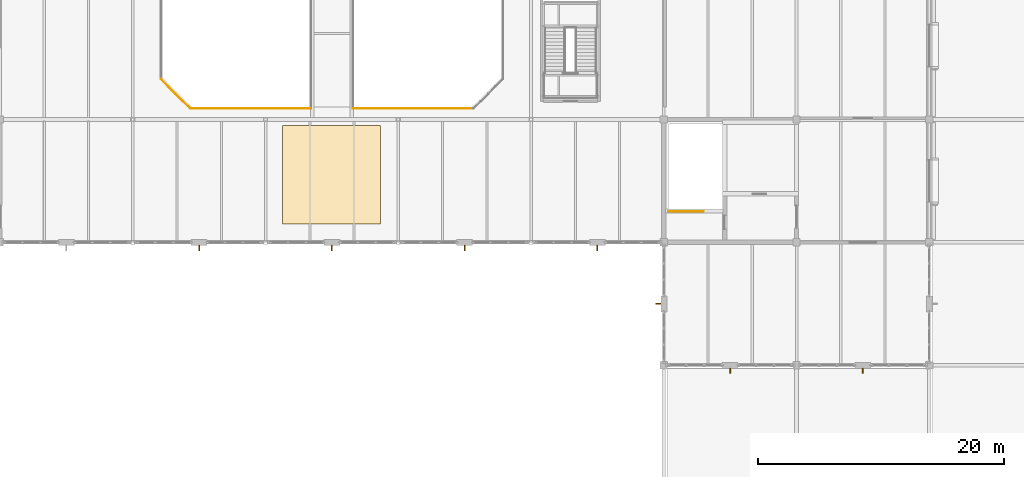
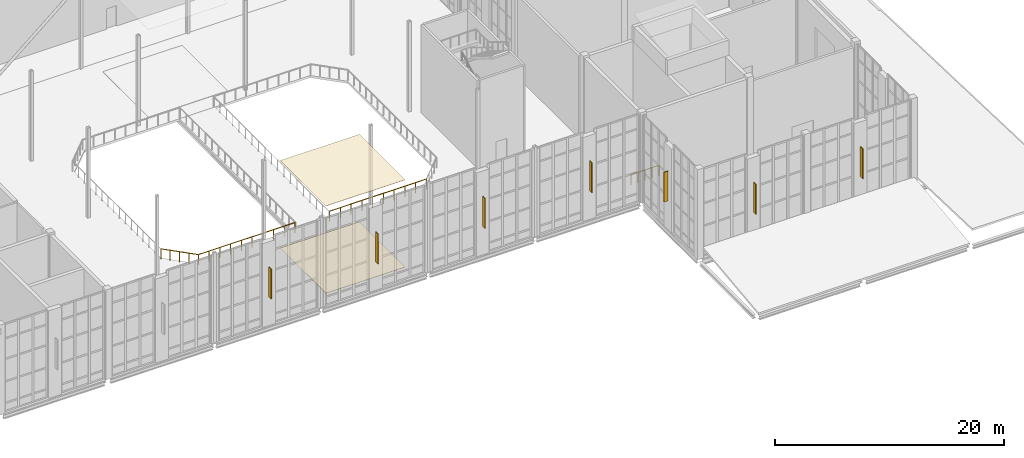
# One storey, part 93 of 100: 7 shading devices, 4 railings, 2 coverings.
"""IFC4 building model written with IfcOpenShell, lengths in metres."""

from ifc_helpers import new_model, si_unit, direction, frame, origin, origin_2d, place, context, subcontext, project, spatial, rectangle, circle, extrude, material, layer, layer_set, type_object, element, save


model = new_model("IFC4")

# Units and contexts
model_context = context("Model", 3, precision=1e-05, world=origin(), true_north=direction((0.0, 1.0)))
body_context = subcontext(model_context, "Body", "Model", "MODEL_VIEW")
ifc_project = project(units=[si_unit("LENGTHUNIT", "METRE"), si_unit("AREAUNIT", "SQUARE_METRE"), si_unit("VOLUMEUNIT", "CUBIC_METRE"), si_unit("PLANEANGLEUNIT", "RADIAN"), si_unit("MASSUNIT", "GRAM", prefix="KILO")], contexts=[model_context])

# Site, building, storey
site_placement = place(None, origin())
site = spatial("IfcSite", under=ifc_project, at=site_placement, CompositionType="ELEMENT")
building_placement = place(site_placement, origin())
building = spatial("IfcBuilding", under=site, at=building_placement, Name="Tasgan Crest Museum", CompositionType="ELEMENT")
storey_placement = place(building_placement, frame((0.0, 0.0, 14.39990234375)))
storey = spatial("IfcBuildingStorey", under=building, at=storey_placement, Name="L03", CompositionType="ELEMENT", Elevation=14.39990234375)

# Coverings
ifc_material_1 = material(Name="Perforated Gypsum Acoustic Ceiling")
ifc_layer_1 = layer(ifc_material_1, 0.034912109375, Name="COV-CEIL-ACOUST")
ifc_layer_set_1 = layer_set([ifc_layer_1], Name="Perforated Gypsum Acoustic Ceiling")
covering_type_1 = type_object("IfcCoveringType", Name="COV-CEIL-ACOUST", PredefinedType="CEILING", material=ifc_layer_set_1)
covering_1_placement = place(storey_placement, frame((80.9599609375, 45.5, 9.3251953125), z_axis=(0.0, 0.0, 1.0), x_axis=(1.0, 0.0, 0.0)))
element("IfcCovering", 1, at=covering_1_placement, inside=storey, type_object=covering_type_1, Name="Double-Height South Atrium Overlook acoustic ceiling", PredefinedType="CEILING", context=body_context, shape_type="SweptSolid", body=[
    extrude(rectangle(XDim=8.0, YDim=8.0, at=origin_2d()), origin(), (0.0, 0.0, 1.0), 0.034912109375),
])
ifc_material_2 = material(Name="Polished Granite Terrazzo", Category="masonry")
ifc_layer_2 = layer(ifc_material_2, 0.030029296875, Name="COV-FLOOR-TERRAZZO")
ifc_layer_set_2 = layer_set([ifc_layer_2], Name="Polished Granite Terrazzo")
covering_type_2 = type_object("IfcCoveringType", Name="COV-FLOOR-TERRAZZO", PredefinedType="FLOORING", material=ifc_layer_set_2)
covering_2_placement = place(storey_placement, frame((80.9599609375, 45.5, 0.0), z_axis=(0.0, 0.0, 1.0), x_axis=(1.0, 0.0, 0.0)))
element("IfcCovering", 2, at=covering_2_placement, inside=storey, type_object=covering_type_2, Name="Double-Height South Atrium Overlook floor finish", PredefinedType="FLOORING", context=body_context, shape_type="SweptSolid", body=[
    extrude(rectangle(XDim=8.0, YDim=8.0, at=origin_2d()), origin(), (0.0, 0.0, 1.0), 0.030029296875),
])

# Railings
ifc_material_3 = material(Name="Brushed Bronze and Toughened Glass", Category="glass")
railing_type = type_object("IfcRailingType", Name="RL-INT-GUARD-1120", PredefinedType="GUARDRAIL", material=ifc_material_3)
railing_1_placement = place(storey_placement, frame((108.3798828125, 42.52001953125, 0.0)))
element("IfcRailing", 3, at=railing_1_placement, inside=storey, type_object=railing_type, Name="East Conservation Core top stairwell guard L03", PredefinedType="GUARDRAIL", context=body_context, shape_type="SweptSolid", body=[
    extrude(circle(Radius=0.02392578125, at=origin_2d()), frame((0.0, 0.0, 1.09619140625), z_axis=(1.0, 0.0, 0.0), x_axis=(0.0, 1.0, 0.0)), (0.0, 0.0, 1.0), 2.830078125),
    extrude(circle(Radius=0.02099609375, at=origin_2d()), origin(), (0.0, 0.0, 1.0), 1.072021484375),
    extrude(circle(Radius=0.02099609375, at=origin_2d()), frame((0.70751953125, 0.0, 0.0)), (0.0, 0.0, 1.0), 1.072021484375),
    extrude(circle(Radius=0.02099609375, at=origin_2d()), frame((1.4150390625, 0.0, 0.0)), (0.0, 0.0, 1.0), 1.072021484375),
    extrude(circle(Radius=0.02099609375, at=origin_2d()), frame((2.12255859375, 0.0, 0.0)), (0.0, 0.0, 1.0), 1.072021484375),
    extrude(circle(Radius=0.02099609375, at=origin_2d()), frame((2.830078125, 0.0, 0.0)), (0.0, 0.0, 1.0), 1.072021484375),
])
for number, where, name in (
    (4, (69.47998046875, 50.8798828125, 0.0), "Atrium void guard L03 0A"),
    (5, (82.75, 50.8798828125, 0.0), "Atrium void guard L03 0B"),
):
    element("IfcRailing", number, at=place(storey_placement, frame(where)), inside=storey, type_object=railing_type, Name=name, PredefinedType="GUARDRAIL", context=body_context, shape_type="SweptSolid", body=[
        extrude(circle(Radius=0.02392578125, at=origin_2d()), frame((0.0, 0.0, 1.09619140625), z_axis=(1.0, 0.0, 0.0), x_axis=(0.0, 1.0, 0.0)), (0.0, 0.0, 1.0), 9.77001953125),
        extrude(circle(Radius=0.02099609375, at=origin_2d()), origin(), (0.0, 0.0, 1.0), 1.072021484375),
        extrude(circle(Radius=0.02099609375, at=origin_2d()), frame((1.08544921875, 0.0, 0.0)), (0.0, 0.0, 1.0), 1.072021484375),
        extrude(circle(Radius=0.02099609375, at=origin_2d()), frame((2.171142578125, 0.0, 0.0)), (0.0, 0.0, 1.0), 1.072021484375),
        extrude(circle(Radius=0.02099609375, at=origin_2d()), frame((3.256591796875, 0.0, 0.0)), (0.0, 0.0, 1.0), 1.072021484375),
        extrude(circle(Radius=0.02099609375, at=origin_2d()), frame((4.34228515625, 0.0, 0.0)), (0.0, 0.0, 1.0), 1.072021484375),
        extrude(circle(Radius=0.02099609375, at=origin_2d()), frame((5.427734375, 0.0, 0.0)), (0.0, 0.0, 1.0), 1.072021484375),
        extrude(circle(Radius=0.02099609375, at=origin_2d()), frame((6.513427734375, 0.0, 0.0)), (0.0, 0.0, 1.0), 1.072021484375),
        extrude(circle(Radius=0.02099609375, at=origin_2d()), frame((7.598876953125, 0.0, 0.0)), (0.0, 0.0, 1.0), 1.072021484375),
        extrude(circle(Radius=0.02099609375, at=origin_2d()), frame((8.6845703125, 0.0, 0.0)), (0.0, 0.0, 1.0), 1.072021484375),
        extrude(circle(Radius=0.02099609375, at=origin_2d()), frame((9.77001953125, 0.0, 0.0)), (0.0, 0.0, 1.0), 1.072021484375),
    ])
railing_2_placement = place(storey_placement, frame((67.080078125, 53.280029296875, 0.0)))
element("IfcRailing", 6, at=railing_2_placement, inside=storey, type_object=railing_type, Name="Atrium void guard L03 7", PredefinedType="GUARDRAIL", context=body_context, shape_type="SweptSolid", body=[
    extrude(circle(Radius=0.02392578125, at=origin_2d()), frame((0.0, 0.0, 1.09619140625), z_axis=(0.707070815327, -0.707142745217, 0.0), x_axis=(0.707142745217, 0.707070815327, 0.0)), (0.0, 0.0, 1.0), 3.39404296875),
    extrude(circle(Radius=0.02099609375, at=origin_2d()), origin(), (0.0, 0.0, 1.0), 1.072021484375),
    extrude(circle(Radius=0.02099609375, at=origin_2d()), frame((0.60009765625, -0.60009765625, 0.0)), (0.0, 0.0, 1.0), 1.072021484375),
    extrude(circle(Radius=0.02099609375, at=origin_2d()), frame((1.199951171875, -1.2001953125, 0.0)), (0.0, 0.0, 1.0), 1.072021484375),
    extrude(circle(Radius=0.02099609375, at=origin_2d()), frame((1.7998046875, -1.800048828125, 0.0)), (0.0, 0.0, 1.0), 1.072021484375),
    extrude(circle(Radius=0.02099609375, at=origin_2d()), frame((2.39990234375, -2.400146484375, 0.0)), (0.0, 0.0, 1.0), 1.072021484375),
])

# Shading devices
ifc_material_4 = material(Name="Anodised Bronze Aluminium", Category="aluminium")
shading_device_type = type_object("IfcShadingDeviceType", Name="SH-FIN-V400", PredefinedType="JALOUSIE", material=ifc_material_4)
for number, where, z_axis, x_axis, name in (
    (7, (107.550048828125, 35.0, 3.080078125), (0.0, 0.0, 1.0), (0.0, -1.0, 0.0), "Facade pier solar fin L03"),
    (8, (113.39990234375, 29.550048828125, 3.080078125), (0.0, 0.0, 1.0), (1.0, 0.0, 0.0), "Facade pier solar fin L03"),
    (9, (124.199951171875, 29.550048828125, 3.080078125), (0.0, 0.0, 1.0), (1.0, 0.0, 0.0), "Facade pier solar fin L03"),
    (10, (70.199951171875, 39.550048828125, 3.080078125), (0.0, 0.0, 1.0), (1.0, 0.0, 0.0), "Facade pier solar fin L03"),
    (11, (81.0, 39.550048828125, 3.080078125), (0.0, 0.0, 1.0), (1.0, 0.0, 0.0), "Facade pier solar fin L03"),
    (12, (91.800048828125, 39.550048828125, 3.080078125), (0.0, 0.0, 1.0), (1.0, 0.0, 0.0), "Facade pier solar fin L03"),
    (13, (102.60009765625, 39.550048828125, 3.080078125), (0.0, 0.0, 1.0), (1.0, 0.0, 0.0), "Facade pier solar fin L03"),
):
    element("IfcShadingDevice", number, at=place(storey_placement, frame(where, z_axis=z_axis, x_axis=x_axis)), inside=storey, type_object=shading_device_type, Name=name, PredefinedType="JALOUSIE", context=body_context, shape_type="SweptSolid", body=[
        extrude(rectangle(XDim=0.080078125, YDim=0.419921875, at=origin_2d()), origin(), (0.0, 0.0, 1.0), 3.199951171875),
    ])

save(model, "model.ifc")
